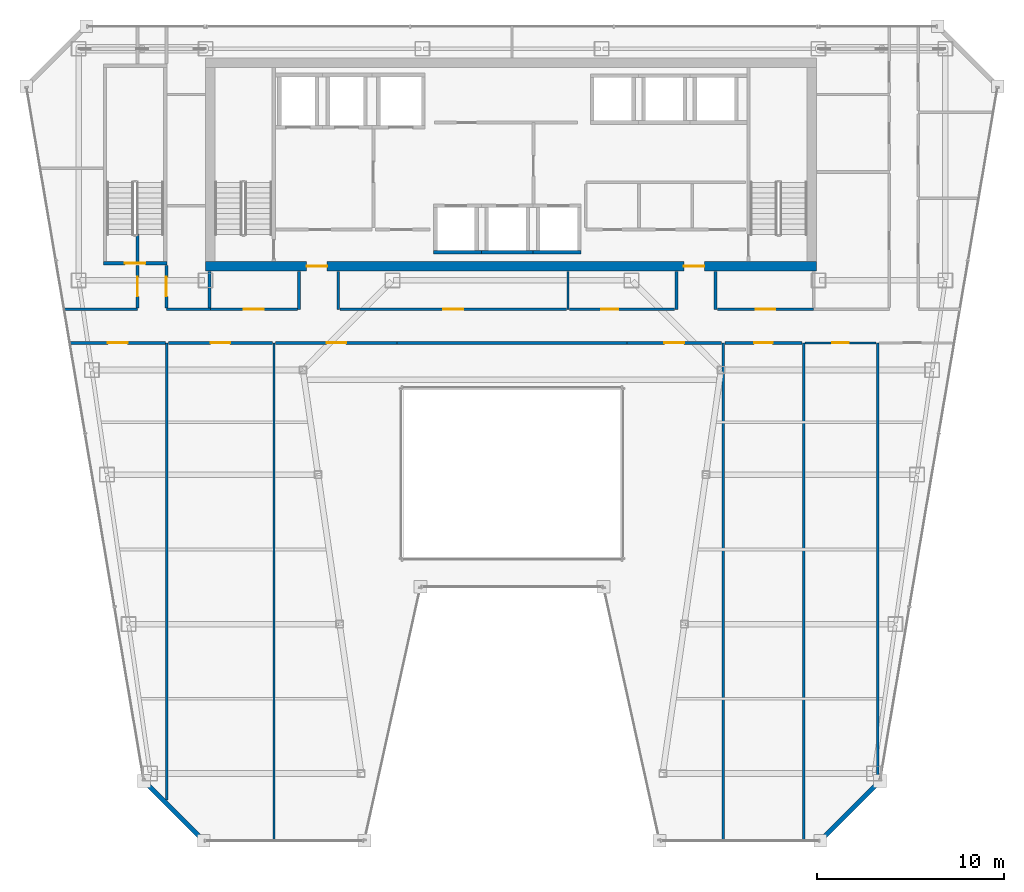
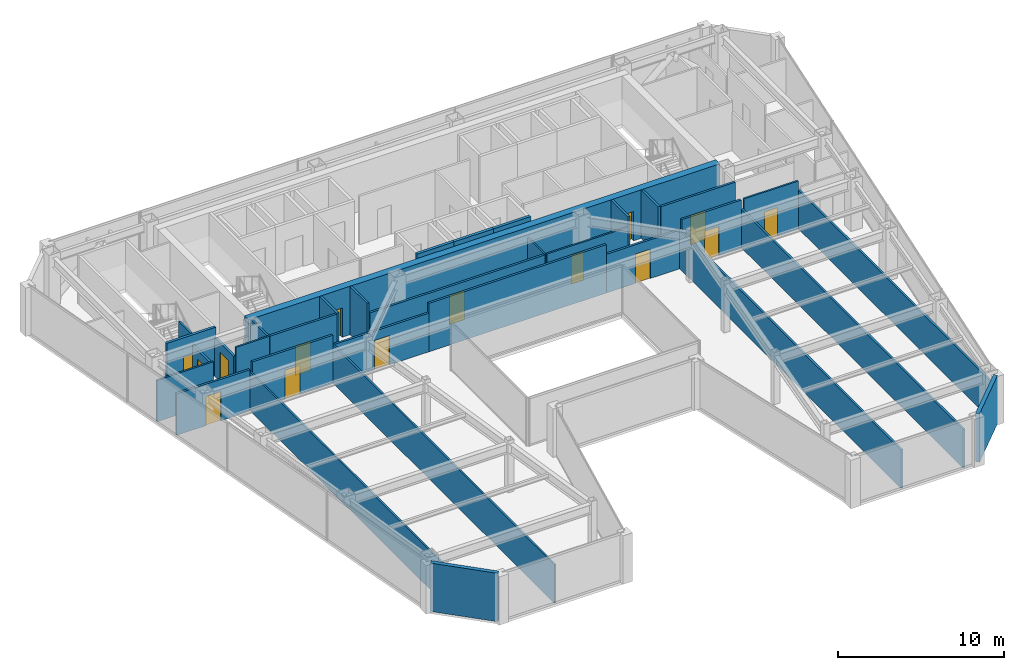
# One storey, part 30 of 36: 34 walls, 15 doors, 15 openings.
"""IFC4 building model written with IfcOpenShell, lengths in metres."""

from ifc_helpers import new_model, si_unit, direction, frame, frame_2d, origin, place, context, subcontext, project, spatial, rectangle, extrude, material, layer, layer_set, type_object, element, fill, save


model = new_model("IFC4")

# Units and contexts
model_context = context("Model", 3, precision=1e-05, world=origin(), true_north=direction((0.0, 1.0)))
body_context = subcontext(model_context, "Body", "Model", "MODEL_VIEW")
ifc_project = project(units=[si_unit("LENGTHUNIT", "METRE"), si_unit("AREAUNIT", "SQUARE_METRE"), si_unit("VOLUMEUNIT", "CUBIC_METRE"), si_unit("PLANEANGLEUNIT", "RADIAN"), si_unit("MASSUNIT", "GRAM", prefix="KILO")], contexts=[model_context])

# Site, building, storey
site_placement = place(None, origin())
site = spatial("IfcSite", under=ifc_project, at=site_placement, CompositionType="ELEMENT")
building_placement = place(site_placement, origin())
building = spatial("IfcBuilding", under=site, at=building_placement, Name="Saevonmaru Cultural Tower", CompositionType="ELEMENT")
storey_placement = place(building_placement, frame((0.0, 0.0, 205.60009765625)))
storey = spatial("IfcBuildingStorey", under=building, at=storey_placement, Name="L47", CompositionType="ELEMENT", Elevation=205.60009765625)

# Wall, openings, doors
ifc_material_1 = material(Name="Concrete C60/75", Category="concrete")
ifc_layer_1 = layer(ifc_material_1, 0.5, Name="Concrete C60/75")
ifc_layer_set_1 = layer_set([ifc_layer_1], Name="Concrete C60/75")
wall_type_1 = type_object("IfcWallType", Name="WL-CORE-500", PredefinedType="SHEAR", material=ifc_layer_set_1)
wall_1_placement = place(storey_placement, frame((13.60009765625, 43.14990234375, 0.0), z_axis=(0.0, 0.0, 1.0), x_axis=(1.0, 0.0, 0.0)))
wall_1 = element("IfcWall", 1, at=wall_1_placement, inside=storey, type_object=wall_type_1, Name="L47 Tower RC core shear wall S", PredefinedType="SHEAR", context=body_context, shape_type="SweptSolid", body=[
    extrude(rectangle(XDim=32.699951171875, YDim=0.5, at=frame_2d((16.35009765625, 0.0))), origin(), (0.0, 0.0, 1.0), 3.5498046875),
])
opening_1_placement = place(wall_1_placement, frame((5.39990234375, 0.0, 0.0)))
opening_1 = element("IfcOpeningElement", 2, at=opening_1_placement, cuts=wall_1, Name="Opening FD-2", PredefinedType="OPENING", context=body_context, shape_type="SweptSolid", body=[
    extrude(rectangle(XDim=1.10009765625, YDim=2.14990234375, at=frame_2d((0.550048828125, 1.074951171875))), frame((0.0, 0.260009765625, 0.0), z_axis=(0.0, -1.0, 0.0), x_axis=(1.0, 0.0, 0.0)), (0.0, 0.0, 1.0), 0.52001953125),
])
opening_2_placement = place(wall_1_placement, frame((25.60009765625, 0.0, 0.0)))
opening_2 = element("IfcOpeningElement", 3, at=opening_2_placement, cuts=wall_1, Name="Opening FD-2", PredefinedType="OPENING", context=body_context, shape_type="SweptSolid", body=[
    extrude(rectangle(XDim=1.10009765625, YDim=2.14990234375, at=frame_2d((0.550048828125, 1.074951171875))), frame((0.0, 0.260009765625, 0.0), z_axis=(0.0, -1.0, 0.0), x_axis=(1.0, 0.0, 0.0)), (0.0, 0.0, 1.0), 0.52001953125),
])
ifc_material_2 = material(Name="Satin Bronze Anodised Aluminium", Category="aluminium")
door_type_1 = type_object("IfcDoorType", Name="DR-FD60-1100", OperationType="SINGLE_SWING_LEFT", PredefinedType="DOOR", material=ifc_material_2)
door_1_placement = place(opening_1_placement, origin())
door_1 = element("IfcDoor", 4, at=door_1_placement, inside=storey, type_object=door_type_1, Name="L47 Core West Lobby Fire Door", OperationType="SINGLE_SWING_LEFT", OverallHeight=2.14990234375, OverallWidth=1.10009765625, PredefinedType="DOOR", context=body_context, shape_type="SweptSolid", body=[
    extrude(rectangle(XDim=1.10009765625, YDim=2.14990234375, at=frame_2d((0.550048828125, 1.074951171875))), frame((0.0, 0.02490234375, 0.0), z_axis=(0.0, -1.0, 0.0), x_axis=(1.0, 0.0, 0.0)), (0.0, 0.0, 1.0), 0.050048828125),
])
fill(opening_1, door_1)
door_2_placement = place(opening_2_placement, origin())
door_2 = element("IfcDoor", 5, at=door_2_placement, inside=storey, type_object=door_type_1, Name="L47 Core East Lobby Fire Door", OperationType="SINGLE_SWING_LEFT", OverallHeight=2.14990234375, OverallWidth=1.10009765625, PredefinedType="DOOR", context=body_context, shape_type="SweptSolid", body=[
    extrude(rectangle(XDim=1.10009765625, YDim=2.14990234375, at=frame_2d((0.550048828125, 1.074951171875))), frame((0.0, 0.02490234375, 0.0), z_axis=(0.0, -1.0, 0.0), x_axis=(1.0, 0.0, 0.0)), (0.0, 0.0, 1.0), 0.050048828125),
])
fill(opening_2, door_2)

# Walls
ifc_material_3 = material(Name="Granite-Clad Precast Concrete C40/50", Category="masonry")
ifc_layer_2 = layer(ifc_material_3, 0.260009765625, Name="Granite-Clad Precast Concrete C40/50")
ifc_layer_set_2 = layer_set([ifc_layer_2], Name="Granite-Clad Precast Concrete C40/50")
wall_type_2 = type_object("IfcWallType", Name="WL-EXT-SPANDREL-260", PredefinedType="STANDARD", material=ifc_layer_set_2)
for number, where, z_axis, x_axis, name in (
    (6, (10.410888671875, 15.48681640625, 0.0), (0.0, 0.0, 1.0), (0.707135806771, -0.70707775441, 0.0), "L47 Chamfer Corner Spandrel Wall E1"),
    (7, (46.615234375, 12.51318359375, 0.0), (0.0, 0.0, 1.0), (0.707135806771, 0.70707775441, 0.0), "L47 Chamfer Corner Spandrel Wall E7"),
):
    element("IfcWall", number, at=place(storey_placement, frame(where, z_axis=z_axis, x_axis=x_axis)), inside=storey, type_object=wall_type_2, Name=name, PredefinedType="STANDARD", context=body_context, shape_type="SweptSolid", body=[
        extrude(rectangle(XDim=4.20556640625, YDim=0.260009765625, at=frame_2d((2.102783203125, 0.0))), origin(), (0.0, 0.0, 1.0), 3.5498046875),
    ])

# Wall, opening, door
ifc_material_4 = material(Name="Gypsum Fireboard Partition", Category="gypsum")
ifc_layer_3 = layer(ifc_material_4, 0.14990234375, Name="Gypsum Fireboard Partition")
ifc_layer_set_3 = layer_set([ifc_layer_3], Name="Gypsum Fireboard Partition")
wall_type_3 = type_object("IfcWallType", Name="WL-PART-FIRE-150", PredefinedType="PARTITIONING", material=ifc_layer_set_3)
wall_2_placement = place(storey_placement, frame((9.949951171875, 40.929931640625, 0.0), z_axis=(0.0, 0.0, 1.0), x_axis=(0.0, 1.0, 0.0)))
wall_2 = element("IfcWall", 8, at=wall_2_placement, inside=storey, type_object=wall_type_3, Name="L47 Permanent Exhibition Gallery Corridor Wall", PredefinedType="PARTITIONING", context=body_context, shape_type="SweptSolid", body=[
    extrude(rectangle(XDim=2.27001953125, YDim=0.14990234375, at=frame_2d((1.135009765625, 0.0))), origin(), (0.0, 0.0, 1.0), 2.8349609375),
])
opening_3_placement = place(wall_2_placement, frame((0.610107421875, 0.0, 0.0)))
opening_3 = element("IfcOpeningElement", 9, at=opening_3_placement, cuts=wall_2, Name="Opening ID-1", PredefinedType="OPENING", context=body_context, shape_type="SweptSolid", body=[
    extrude(rectangle(XDim=1.050048828125, YDim=2.14990234375, at=frame_2d((0.52490234375, 1.074951171875))), frame((0.0, 0.0849609375, 0.0), z_axis=(0.0, -1.0, 0.0), x_axis=(1.0, 0.0, 0.0)), (0.0, 0.0, 1.0), 0.169921875),
])
door_type_2 = type_object("IfcDoorType", Name="DR-INT-1050", OperationType="SINGLE_SWING_LEFT", PredefinedType="DOOR", material=ifc_material_2)
door_3_placement = place(opening_3_placement, origin())
door_3 = element("IfcDoor", 10, at=door_3_placement, inside=storey, type_object=door_type_2, Name="L47 Permanent Exhibition Gallery Door", OperationType="SINGLE_SWING_LEFT", OverallHeight=2.14990234375, OverallWidth=1.050048828125, PredefinedType="DOOR", context=body_context, shape_type="SweptSolid", body=[
    extrude(rectangle(XDim=1.050048828125, YDim=2.14990234375, at=frame_2d((0.52490234375, 1.074951171875))), frame((0.0, 0.02490234375, 0.0), z_axis=(0.0, -1.0, 0.0), x_axis=(1.0, 0.0, 0.0)), (0.0, 0.0, 1.0), 0.050048828125),
])
fill(opening_3, door_3)

# Wall
wall_3_placement = place(storey_placement, frame((9.949951171875, 43.419921875, 0.0), z_axis=(0.0, 0.0, 1.0), x_axis=(0.0, 1.0, 0.0)))
element("IfcWall", 11, at=wall_3_placement, inside=storey, type_object=wall_type_3, Name="L47 Permanent Exhibition Gallery Corridor Wall (2)", PredefinedType="PARTITIONING", context=body_context, shape_type="SweptSolid", body=[
    extrude(rectangle(XDim=1.4501953125, YDim=0.14990234375, at=frame_2d((0.72509765625, 0.0))), origin(), (0.0, 0.0, 1.0), 3.5498046875),
])

# Wall, opening, door
wall_4_placement = place(storey_placement, frame((11.5, 40.929931640625, 0.0), z_axis=(0.0, 0.0, 1.0), x_axis=(0.0, 1.0, 0.0)))
wall_4 = element("IfcWall", 12, at=wall_4_placement, inside=storey, type_object=wall_type_3, Name="L47 Contemporary Photography Gallery Corridor Wall", PredefinedType="PARTITIONING", context=body_context, shape_type="SweptSolid", body=[
    extrude(rectangle(XDim=2.27001953125, YDim=0.14990234375, at=frame_2d((1.135009765625, 0.0))), origin(), (0.0, 0.0, 1.0), 2.8349609375),
])
opening_4_placement = place(wall_4_placement, frame((0.610107421875, 0.0, 0.0)))
opening_4 = element("IfcOpeningElement", 13, at=opening_4_placement, cuts=wall_4, Name="Opening ID-1", PredefinedType="OPENING", context=body_context, shape_type="SweptSolid", body=[
    extrude(rectangle(XDim=1.050048828125, YDim=2.14990234375, at=frame_2d((0.52490234375, 1.074951171875))), frame((0.0, 0.0849609375, 0.0), z_axis=(0.0, -1.0, 0.0), x_axis=(1.0, 0.0, 0.0)), (0.0, 0.0, 1.0), 0.169921875),
])
door_4_placement = place(opening_4_placement, origin())
door_4 = element("IfcDoor", 14, at=door_4_placement, inside=storey, type_object=door_type_2, Name="L47 Contemporary Photography Gallery Door", OperationType="SINGLE_SWING_RIGHT", OverallHeight=2.14990234375, OverallWidth=1.050048828125, PredefinedType="DOOR", context=body_context, shape_type="SweptSolid", body=[
    extrude(rectangle(XDim=1.050048828125, YDim=2.14990234375, at=frame_2d((0.52490234375, 1.074951171875))), frame((0.0, 0.02490234375, 0.0), z_axis=(0.0, -1.0, 0.0), x_axis=(1.0, 0.0, 0.0)), (0.0, 0.0, 1.0), 0.050048828125),
])
fill(opening_4, door_4)

# Walls
wall_5_placement = place(storey_placement, frame((13.800048828125, 40.929931640625, 0.0), z_axis=(0.0, 0.0, 1.0), x_axis=(0.0, 1.0, 0.0)))
element("IfcWall", 15, at=wall_5_placement, inside=storey, type_object=wall_type_3, Name="L47 Core Portal Side Wall W0", PredefinedType="PARTITIONING", context=body_context, shape_type="SweptSolid", body=[
    extrude(rectangle(XDim=1.949951171875, YDim=0.14990234375, at=frame_2d((0.97509765625, 0.0))), origin(), (0.0, 0.0, 1.0), 3.5498046875),
])
for number, where, z_axis, x_axis, name in (
    (16, (18.60009765625, 40.85009765625, 0.0), (0.0, 0.0, 1.0), (0.0, 1.0, 0.0), "L47 Core Portal Side Wall W1"),
    (17, (20.699951171875, 40.85009765625, 0.0), (0.0, 0.0, 1.0), (0.0, 1.0, 0.0), "L47 Core Portal Side Wall W2"),
    (18, (38.800048828125, 40.85009765625, 0.0), (0.0, 0.0, 1.0), (0.0, 1.0, 0.0), "L47 Core Portal Side Wall E1"),
    (19, (40.89990234375, 40.85009765625, 0.0), (0.0, 0.0, 1.0), (0.0, 1.0, 0.0), "L47 Core Portal Side Wall E2"),
):
    element("IfcWall", number, at=place(storey_placement, frame(where, z_axis=z_axis, x_axis=x_axis)), inside=storey, type_object=wall_type_3, Name=name, PredefinedType="PARTITIONING", context=body_context, shape_type="SweptSolid", body=[
        extrude(rectangle(XDim=2.02978515625, YDim=0.14990234375, at=frame_2d((1.014892578125, 0.0))), origin(), (0.0, 0.0, 1.0), 3.5498046875),
    ])

# Wall, opening, door
wall_6_placement = place(storey_placement, frame((13.85009765625, 40.85009765625, 0.0), z_axis=(0.0, 0.0, 1.0), x_axis=(1.0, 0.0, 0.0)))
wall_6 = element("IfcWall", 20, at=wall_6_placement, inside=storey, type_object=wall_type_3, Name="L47 Permanent Exhibition Gallery Corridor Wall", PredefinedType="PARTITIONING", context=body_context, shape_type="SweptSolid", body=[
    extrude(rectangle(XDim=4.65478515625, YDim=0.14990234375, at=frame_2d((2.327392578125, 0.0))), origin(), (0.0, 0.0, 1.0), 3.5498046875),
])
opening_5_placement = place(wall_6_placement, frame((1.802001953125, 0.0, 0.0)))
opening_5 = element("IfcOpeningElement", 21, at=opening_5_placement, cuts=wall_6, Name="Opening ID-1", PredefinedType="OPENING", context=body_context, shape_type="SweptSolid", body=[
    extrude(rectangle(XDim=1.050048828125, YDim=2.14990234375, at=frame_2d((0.52490234375, 1.074951171875))), frame((0.0, 0.0849609375, 0.0), z_axis=(0.0, -1.0, 0.0), x_axis=(1.0, 0.0, 0.0)), (0.0, 0.0, 1.0), 0.169921875),
])
door_5_placement = place(opening_5_placement, origin())
door_5 = element("IfcDoor", 22, at=door_5_placement, inside=storey, type_object=door_type_2, Name="L47 Permanent Exhibition Gallery Door", OperationType="SINGLE_SWING_RIGHT", OverallHeight=2.14990234375, OverallWidth=1.050048828125, PredefinedType="DOOR", context=body_context, shape_type="SweptSolid", body=[
    extrude(rectangle(XDim=1.050048828125, YDim=2.14990234375, at=frame_2d((0.52490234375, 1.074951171875))), frame((0.0, 0.02490234375, 0.0), z_axis=(0.0, -1.0, 0.0), x_axis=(1.0, 0.0, 0.0)), (0.0, 0.0, 1.0), 0.050048828125),
])
fill(opening_5, door_5)

wall_7_placement = place(storey_placement, frame((20.794921875, 40.85009765625, 0.0), z_axis=(0.0, 0.0, 1.0), x_axis=(1.0, 0.0, 0.0)))
wall_7 = element("IfcWall", 23, at=wall_7_placement, inside=storey, type_object=wall_type_3, Name="L47 Permanent Exhibition Gallery Corridor Wall", PredefinedType="PARTITIONING", context=body_context, shape_type="SweptSolid", body=[
    extrude(rectangle(XDim=12.125, YDim=0.14990234375, at=frame_2d((6.0625, 0.0))), origin(), (0.0, 0.0, 1.0), 2.8349609375),
])
opening_6_placement = place(wall_7_placement, frame((5.537109375, 0.0, 0.0)))
opening_6 = element("IfcOpeningElement", 24, at=opening_6_placement, cuts=wall_7, Name="Opening ID-1", PredefinedType="OPENING", context=body_context, shape_type="SweptSolid", body=[
    extrude(rectangle(XDim=1.050048828125, YDim=2.14990234375, at=frame_2d((0.52490234375, 1.074951171875))), frame((0.0, 0.0849609375, 0.0), z_axis=(0.0, -1.0, 0.0), x_axis=(1.0, 0.0, 0.0)), (0.0, 0.0, 1.0), 0.169921875),
])
door_6_placement = place(opening_6_placement, origin())
door_6 = element("IfcDoor", 25, at=door_6_placement, inside=storey, type_object=door_type_2, Name="L47 Permanent Exhibition Gallery Door", OperationType="SINGLE_SWING_LEFT", OverallHeight=2.14990234375, OverallWidth=1.050048828125, PredefinedType="DOOR", context=body_context, shape_type="SweptSolid", body=[
    extrude(rectangle(XDim=1.050048828125, YDim=2.14990234375, at=frame_2d((0.52490234375, 1.074951171875))), frame((0.0, 0.02490234375, 0.0), z_axis=(0.0, -1.0, 0.0), x_axis=(1.0, 0.0, 0.0)), (0.0, 0.0, 1.0), 0.050048828125),
])
fill(opening_6, door_6)

wall_8_placement = place(storey_placement, frame((40.9951171875, 40.85009765625, 0.0), z_axis=(0.0, 0.0, 1.0), x_axis=(1.0, 0.0, 0.0)))
wall_8 = element("IfcWall", 26, at=wall_8_placement, inside=storey, type_object=wall_type_3, Name="L47 Kinetic Art Exhibition Gallery Corridor Wall", PredefinedType="PARTITIONING", context=body_context, shape_type="SweptSolid", body=[
    extrude(rectangle(XDim=5.15478515625, YDim=0.14990234375, at=frame_2d((2.577392578125, 0.0))), origin(), (0.0, 0.0, 1.0), 3.5498046875),
])
opening_7_placement = place(wall_8_placement, frame((2.052978515625, 0.0, 0.0)))
opening_7 = element("IfcOpeningElement", 27, at=opening_7_placement, cuts=wall_8, Name="Opening ID-1", PredefinedType="OPENING", context=body_context, shape_type="SweptSolid", body=[
    extrude(rectangle(XDim=1.050048828125, YDim=2.14990234375, at=frame_2d((0.52490234375, 1.074951171875))), frame((0.0, 0.0849609375, 0.0), z_axis=(0.0, -1.0, 0.0), x_axis=(1.0, 0.0, 0.0)), (0.0, 0.0, 1.0), 0.169921875),
])
door_7_placement = place(opening_7_placement, origin())
door_7 = element("IfcDoor", 28, at=door_7_placement, inside=storey, type_object=door_type_2, Name="L47 Kinetic Art Exhibition Gallery Door", OperationType="SINGLE_SWING_LEFT", OverallHeight=2.14990234375, OverallWidth=1.050048828125, PredefinedType="DOOR", context=body_context, shape_type="SweptSolid", body=[
    extrude(rectangle(XDim=1.050048828125, YDim=2.14990234375, at=frame_2d((0.52490234375, 1.074951171875))), frame((0.0, 0.02490234375, 0.0), z_axis=(0.0, -1.0, 0.0), x_axis=(1.0, 0.0, 0.0)), (0.0, 0.0, 1.0), 0.050048828125),
])
fill(opening_7, door_7)

wall_9_placement = place(storey_placement, frame((6.348388671875, 39.050048828125, 0.0), z_axis=(0.0, 0.0, 1.0), x_axis=(1.0, 0.0, 0.0)))
wall_9 = element("IfcWall", 29, at=wall_9_placement, inside=storey, type_object=wall_type_3, Name="L47 Permanent Exhibition Gallery Corridor Wall", PredefinedType="PARTITIONING", context=body_context, shape_type="SweptSolid", body=[
    extrude(rectangle(XDim=5.091552734375, YDim=0.14990234375, at=frame_2d((2.5458984375, 0.0))), origin(), (0.0, 0.0, 1.0), 3.034912109375),
])
opening_8_placement = place(wall_9_placement, frame((2.02099609375, 0.0, 0.0)))
opening_8 = element("IfcOpeningElement", 30, at=opening_8_placement, cuts=wall_9, Name="Opening ID-1", PredefinedType="OPENING", context=body_context, shape_type="SweptSolid", body=[
    extrude(rectangle(XDim=1.050048828125, YDim=2.14990234375, at=frame_2d((0.52490234375, 1.074951171875))), frame((0.0, 0.0849609375, 0.0), z_axis=(0.0, -1.0, 0.0), x_axis=(1.0, 0.0, 0.0)), (0.0, 0.0, 1.0), 0.169921875),
])
door_8_placement = place(opening_8_placement, origin())
door_8 = element("IfcDoor", 31, at=door_8_placement, inside=storey, type_object=door_type_2, Name="L47 Permanent Exhibition Gallery Door", OperationType="SINGLE_SWING_RIGHT", OverallHeight=2.14990234375, OverallWidth=1.050048828125, PredefinedType="DOOR", context=body_context, shape_type="SweptSolid", body=[
    extrude(rectangle(XDim=1.050048828125, YDim=2.14990234375, at=frame_2d((0.52490234375, 1.074951171875))), frame((0.0, 0.02490234375, 0.0), z_axis=(0.0, -1.0, 0.0), x_axis=(1.0, 0.0, 0.0)), (0.0, 0.0, 1.0), 0.050048828125),
])
fill(opening_8, door_8)

wall_10_placement = place(storey_placement, frame((11.60009765625, 39.050048828125, 0.0), z_axis=(0.0, 0.0, 1.0), x_axis=(1.0, 0.0, 0.0)))
wall_10 = element("IfcWall", 32, at=wall_10_placement, inside=storey, type_object=wall_type_3, Name="L47 Contemporary Photography Gallery Corridor Wall", PredefinedType="PARTITIONING", context=body_context, shape_type="SweptSolid", body=[
    extrude(rectangle(XDim=5.579833984375, YDim=0.14990234375, at=frame_2d((2.7900390625, 0.0))), origin(), (0.0, 0.0, 1.0), 3.5498046875),
])
opening_9_placement = place(wall_10_placement, frame((2.264892578125, 0.0, 0.0)))
opening_9 = element("IfcOpeningElement", 33, at=opening_9_placement, cuts=wall_10, Name="Opening ID-1", PredefinedType="OPENING", context=body_context, shape_type="SweptSolid", body=[
    extrude(rectangle(XDim=1.050048828125, YDim=2.14990234375, at=frame_2d((0.52490234375, 1.074951171875))), frame((0.0, 0.0849609375, 0.0), z_axis=(0.0, -1.0, 0.0), x_axis=(1.0, 0.0, 0.0)), (0.0, 0.0, 1.0), 0.169921875),
])
door_9_placement = place(opening_9_placement, origin())
door_9 = element("IfcDoor", 34, at=door_9_placement, inside=storey, type_object=door_type_2, Name="L47 Contemporary Photography Gallery Door", OperationType="SINGLE_SWING_LEFT", OverallHeight=2.14990234375, OverallWidth=1.050048828125, PredefinedType="DOOR", context=body_context, shape_type="SweptSolid", body=[
    extrude(rectangle(XDim=1.050048828125, YDim=2.14990234375, at=frame_2d((0.52490234375, 1.074951171875))), frame((0.0, 0.02490234375, 0.0), z_axis=(0.0, -1.0, 0.0), x_axis=(1.0, 0.0, 0.0)), (0.0, 0.0, 1.0), 0.050048828125),
])
fill(opening_9, door_9)

wall_11_placement = place(storey_placement, frame((17.340087890625, 39.050048828125, 0.0), z_axis=(0.0, 0.0, 1.0), x_axis=(1.0, 0.0, 0.0)))
wall_11 = element("IfcWall", 35, at=wall_11_placement, inside=storey, type_object=wall_type_3, Name="L47 Kinetic Art Exhibition Gallery Corridor Wall", PredefinedType="PARTITIONING", context=body_context, shape_type="SweptSolid", body=[
    extrude(rectangle(XDim=6.510009765625, YDim=0.14990234375, at=frame_2d((3.2548828125, 0.0))), origin(), (0.0, 0.0, 1.0), 2.8349609375),
])
opening_10_placement = place(wall_11_placement, frame((2.72998046875, 0.0, 0.0)))
opening_10 = element("IfcOpeningElement", 36, at=opening_10_placement, cuts=wall_11, Name="Opening ID-1", PredefinedType="OPENING", context=body_context, shape_type="SweptSolid", body=[
    extrude(rectangle(XDim=1.050048828125, YDim=2.14990234375, at=frame_2d((0.52490234375, 1.074951171875))), frame((0.0, 0.0849609375, 0.0), z_axis=(0.0, -1.0, 0.0), x_axis=(1.0, 0.0, 0.0)), (0.0, 0.0, 1.0), 0.169921875),
])
door_10_placement = place(opening_10_placement, origin())
door_10 = element("IfcDoor", 37, at=door_10_placement, inside=storey, type_object=door_type_2, Name="L47 Kinetic Art Exhibition Gallery Door", OperationType="SINGLE_SWING_RIGHT", OverallHeight=2.14990234375, OverallWidth=1.050048828125, PredefinedType="DOOR", context=body_context, shape_type="SweptSolid", body=[
    extrude(rectangle(XDim=1.050048828125, YDim=2.14990234375, at=frame_2d((0.52490234375, 1.074951171875))), frame((0.0, 0.02490234375, 0.0), z_axis=(0.0, -1.0, 0.0), x_axis=(1.0, 0.0, 0.0)), (0.0, 0.0, 1.0), 0.050048828125),
])
fill(opening_10, door_10)

# Wall
wall_12_placement = place(storey_placement, frame((23.85009765625, 39.050048828125, 0.0), z_axis=(0.0, 0.0, 1.0), x_axis=(1.0, 0.0, 0.0)))
element("IfcWall", 38, at=wall_12_placement, inside=storey, type_object=wall_type_3, Name="L47 North Atrium Corridor Wall", PredefinedType="PARTITIONING", context=body_context, shape_type="SweptSolid", body=[
    extrude(rectangle(XDim=12.2998046875, YDim=0.14990234375, at=frame_2d((6.14990234375, 0.0))), origin(), (0.0, 0.0, 1.0), 3.5498046875),
])

# Wall, opening, door
wall_13_placement = place(storey_placement, frame((36.14990234375, 39.050048828125, 0.0), z_axis=(0.0, 0.0, 1.0), x_axis=(1.0, 0.0, 0.0)))
wall_13 = element("IfcWall", 39, at=wall_13_placement, inside=storey, type_object=wall_type_3, Name="L47 Kinetic Art Exhibition Gallery Corridor Wall", PredefinedType="PARTITIONING", context=body_context, shape_type="SweptSolid", body=[
    extrude(rectangle(XDim=5.072509765625, YDim=0.14990234375, at=frame_2d((2.5361328125, 0.0))), origin(), (0.0, 0.0, 1.0), 2.8349609375),
])
opening_11_placement = place(wall_13_placement, frame((2.010986328125, 0.0, 0.0)))
opening_11 = element("IfcOpeningElement", 40, at=opening_11_placement, cuts=wall_13, Name="Opening ID-1", PredefinedType="OPENING", context=body_context, shape_type="SweptSolid", body=[
    extrude(rectangle(XDim=1.050048828125, YDim=2.14990234375, at=frame_2d((0.52490234375, 1.074951171875))), frame((0.0, 0.0849609375, 0.0), z_axis=(0.0, -1.0, 0.0), x_axis=(1.0, 0.0, 0.0)), (0.0, 0.0, 1.0), 0.169921875),
])
door_11_placement = place(opening_11_placement, origin())
door_11 = element("IfcDoor", 41, at=door_11_placement, inside=storey, type_object=door_type_2, Name="L47 Kinetic Art Exhibition Gallery Door", OperationType="SINGLE_SWING_LEFT", OverallHeight=2.14990234375, OverallWidth=1.050048828125, PredefinedType="DOOR", context=body_context, shape_type="SweptSolid", body=[
    extrude(rectangle(XDim=1.050048828125, YDim=2.14990234375, at=frame_2d((0.52490234375, 1.074951171875))), frame((0.0, 0.02490234375, 0.0), z_axis=(0.0, -1.0, 0.0), x_axis=(1.0, 0.0, 0.0)), (0.0, 0.0, 1.0), 0.050048828125),
])
fill(opening_11, door_11)

wall_14_placement = place(storey_placement, frame((41.3974609375, 39.050048828125, 0.0), z_axis=(0.0, 0.0, 1.0), x_axis=(1.0, 0.0, 0.0)))
wall_14 = element("IfcWall", 42, at=wall_14_placement, inside=storey, type_object=wall_type_3, Name="L47 Chamber Rehearsal Auditorium Corridor Wall", PredefinedType="PARTITIONING", context=body_context, shape_type="SweptSolid", body=[
    extrude(rectangle(XDim=4.125, YDim=0.14990234375, at=frame_2d((2.0625, 0.0))), origin(), (0.0, 0.0, 1.0), 3.5498046875),
])
opening_12_placement = place(wall_14_placement, frame((1.56201171875, 0.0, 0.0)))
opening_12 = element("IfcOpeningElement", 43, at=opening_12_placement, cuts=wall_14, Name="Opening ID-1B", PredefinedType="OPENING", context=body_context, shape_type="SweptSolid", body=[
    extrude(rectangle(XDim=1.0, YDim=2.14990234375, at=frame_2d((0.5, 1.074951171875))), frame((0.0, 0.0849609375, 0.0), z_axis=(0.0, -1.0, 0.0), x_axis=(1.0, 0.0, 0.0)), (0.0, 0.0, 1.0), 0.169921875),
])
ifc_material_5 = material(Name="Acoustic Stained Oak Timber", Category="wood")
door_type_3 = type_object("IfcDoorType", Name="DR-INT-1000", OperationType="SINGLE_SWING_RIGHT", PredefinedType="DOOR", material=ifc_material_5)
door_12_placement = place(opening_12_placement, origin())
door_12 = element("IfcDoor", 44, at=door_12_placement, inside=storey, type_object=door_type_3, Name="L47 Chamber Rehearsal Auditorium Door", OperationType="SINGLE_SWING_RIGHT", OverallHeight=2.14990234375, OverallWidth=1.0, PredefinedType="DOOR", context=body_context, shape_type="SweptSolid", body=[
    extrude(rectangle(XDim=1.0, YDim=2.14990234375, at=frame_2d((0.5, 1.074951171875))), frame((0.0, 0.02490234375, 0.0), z_axis=(0.0, -1.0, 0.0), x_axis=(1.0, 0.0, 0.0)), (0.0, 0.0, 1.0), 0.050048828125),
])
fill(opening_12, door_12)

# Walls
ifc_layer_4 = layer(ifc_material_4, 0.1201171875, Name="Gypsum Fireboard Partition")
ifc_layer_set_4 = layer_set([ifc_layer_4], Name="Gypsum Fireboard Partition")
wall_type_4 = type_object("IfcWallType", Name="WL-PART-GYP-120", PredefinedType="PARTITIONING", material=ifc_layer_set_4)
wall_15_placement = place(storey_placement, frame((6.0283203125, 40.85009765625, 0.0), z_axis=(0.0, 0.0, 1.0), x_axis=(1.0, 0.0, 0.0)))
element("IfcWall", 45, at=wall_15_placement, inside=storey, type_object=wall_type_4, Name="L47 NW Wing South Wall", PredefinedType="PARTITIONING", context=body_context, shape_type="SweptSolid", body=[
    extrude(rectangle(XDim=3.921630859375, YDim=0.1201171875, at=frame_2d((1.9609375, 0.0))), origin(), (0.0, 0.0, 1.0), 3.034912109375),
])
wall_16_placement = place(storey_placement, frame((11.5, 40.85009765625, 0.0), z_axis=(0.0, 0.0, 1.0), x_axis=(1.0, 0.0, 0.0)))
element("IfcWall", 46, at=wall_16_placement, inside=storey, type_object=wall_type_4, Name="L47 NW Inner South Wall", PredefinedType="PARTITIONING", context=body_context, shape_type="SweptSolid", body=[
    extrude(rectangle(XDim=2.35009765625, YDim=0.1201171875, at=frame_2d((1.175048828125, 0.0))), origin(), (0.0, 0.0, 1.0), 3.5498046875),
])
wall_17_placement = place(storey_placement, frame((33.0, 40.85009765625, 0.0), z_axis=(0.0, 0.0, 1.0), x_axis=(0.0, 1.0, 0.0)))
element("IfcWall", 47, at=wall_17_placement, inside=storey, type_object=wall_type_4, Name="L47 Spine Alcove Split", PredefinedType="PARTITIONING", context=body_context, shape_type="SweptSolid", body=[
    extrude(rectangle(XDim=2.02978515625, YDim=0.1201171875, at=frame_2d((1.014892578125, 0.0))), origin(), (0.0, 0.0, 1.0), 2.8349609375),
])

# Wall, opening, door
wall_18_placement = place(storey_placement, frame((33.080078125, 40.85009765625, 0.0), z_axis=(0.0, 0.0, 1.0), x_axis=(1.0, 0.0, 0.0)))
wall_18 = element("IfcWall", 48, at=wall_18_placement, inside=storey, type_object=wall_type_4, Name="L47 Urban Design Meeting Room Corridor Wall", PredefinedType="PARTITIONING", context=body_context, shape_type="SweptSolid", body=[
    extrude(rectangle(XDim=5.625, YDim=0.1201171875, at=frame_2d((2.8125, 0.0))), origin(), (0.0, 0.0, 1.0), 2.8349609375),
])
opening_13_placement = place(wall_18_placement, frame((1.701904296875, 0.0, 0.0)))
opening_13 = element("IfcOpeningElement", 49, at=opening_13_placement, cuts=wall_18, Name="Opening ID-2", PredefinedType="OPENING", context=body_context, shape_type="SweptSolid", body=[
    extrude(rectangle(XDim=0.89990234375, YDim=2.10009765625, at=frame_2d((0.449951171875, 1.050048828125))), frame((0.0, 0.070068359375, 0.0), z_axis=(0.0, -1.0, 0.0), x_axis=(1.0, 0.0, 0.0)), (0.0, 0.0, 1.0), 0.14013671875),
])
door_type_4 = type_object("IfcDoorType", Name="DR-INT-900", OperationType="SINGLE_SWING_RIGHT", PredefinedType="DOOR", material=ifc_material_5)
door_13_placement = place(opening_13_placement, origin())
door_13 = element("IfcDoor", 50, at=door_13_placement, inside=storey, type_object=door_type_4, Name="L47 Urban Design Meeting Room Door", OperationType="SINGLE_SWING_RIGHT", OverallHeight=2.10009765625, OverallWidth=0.89990234375, PredefinedType="DOOR", context=body_context, shape_type="SweptSolid", body=[
    extrude(rectangle(XDim=0.89990234375, YDim=2.10009765625, at=frame_2d((0.449951171875, 1.050048828125))), frame((0.0, 0.02490234375, 0.0), z_axis=(0.0, -1.0, 0.0), x_axis=(1.0, 0.0, 0.0)), (0.0, 0.0, 1.0), 0.050048828125),
])
fill(opening_13, door_13)

# Walls
wall_19_placement = place(storey_placement, frame((11.52001953125, 14.58984375, 0.0), z_axis=(0.0, 0.0, 1.0), x_axis=(0.0, 1.0, 0.0)))
element("IfcWall", 51, at=wall_19_placement, inside=storey, type_object=wall_type_4, Name="L47 West Bay Divider 1", PredefinedType="PARTITIONING", context=body_context, shape_type="SweptSolid", body=[
    extrude(rectangle(XDim=24.460205078125, YDim=0.1201171875, at=frame_2d((12.22998046875, 0.0))), origin(), (0.0, 0.0, 1.0), 2.8349609375),
])
wall_20_placement = place(storey_placement, frame((17.260009765625, 12.405029296875, 0.0), z_axis=(0.0, 0.0, 1.0), x_axis=(0.0, 1.0, 0.0)))
element("IfcWall", 52, at=wall_20_placement, inside=storey, type_object=wall_type_4, Name="L47 West Bay Divider 2", PredefinedType="PARTITIONING", context=body_context, shape_type="SweptSolid", body=[
    extrude(rectangle(XDim=26.64501953125, YDim=0.1201171875, at=frame_2d((13.322509765625, 0.0))), origin(), (0.0, 0.0, 1.0), 2.8349609375),
])

# Wall, opening, door
wall_21_placement = place(storey_placement, frame((45.697509765625, 39.050048828125, 0.0), z_axis=(0.0, 0.0, 1.0), x_axis=(1.0, 0.0, 0.0)))
wall_21 = element("IfcWall", 53, at=wall_21_placement, inside=storey, type_object=wall_type_4, Name="L47 Urban Design Meeting Room Corridor Wall", PredefinedType="PARTITIONING", context=body_context, shape_type="SweptSolid", body=[
    extrude(rectangle(XDim=3.784912109375, YDim=0.1201171875, at=frame_2d((1.892578125, 0.0))), origin(), (0.0, 0.0, 1.0), 3.5498046875),
])
opening_14_placement = place(wall_21_placement, frame((1.443115234375, 0.0, 0.0)))
opening_14 = element("IfcOpeningElement", 54, at=opening_14_placement, cuts=wall_21, Name="Opening ID-2", PredefinedType="OPENING", context=body_context, shape_type="SweptSolid", body=[
    extrude(rectangle(XDim=0.89990234375, YDim=2.10009765625, at=frame_2d((0.449951171875, 1.050048828125))), frame((0.0, 0.070068359375, 0.0), z_axis=(0.0, -1.0, 0.0), x_axis=(1.0, 0.0, 0.0)), (0.0, 0.0, 1.0), 0.14013671875),
])
door_14_placement = place(opening_14_placement, origin())
door_14 = element("IfcDoor", 55, at=door_14_placement, inside=storey, type_object=door_type_4, Name="L47 Urban Design Meeting Room Door", OperationType="SINGLE_SWING_LEFT", OverallHeight=2.10009765625, OverallWidth=0.89990234375, PredefinedType="DOOR", context=body_context, shape_type="SweptSolid", body=[
    extrude(rectangle(XDim=0.89990234375, YDim=2.10009765625, at=frame_2d((0.449951171875, 1.050048828125))), frame((0.0, 0.02490234375, 0.0), z_axis=(0.0, -1.0, 0.0), x_axis=(1.0, 0.0, 0.0)), (0.0, 0.0, 1.0), 0.050048828125),
])
fill(opening_14, door_14)

# Walls
ifc_layer_5 = layer(ifc_material_4, 0.135009765625, Name="Gypsum Fireboard Partition")
ifc_layer_set_5 = layer_set([ifc_layer_5], Name="Gypsum Fireboard Partition")
wall_type_5 = type_object("IfcWallType", Name="WL-PART-GYP-135", PredefinedType="PARTITIONING", material=ifc_layer_set_5)
for number, where, z_axis, x_axis, name in (
    (56, (41.31005859375, 12.405029296875, 0.0), (0.0, 0.0, 1.0), (0.0, 1.0, 0.0), "L47 East Bay Divider 1"),
    (57, (45.610107421875, 12.405029296875, 0.0), (0.0, 0.0, 1.0), (0.0, 1.0, 0.0), "L47 East Bay Divider 2"),
):
    element("IfcWall", number, at=place(storey_placement, frame(where, z_axis=z_axis, x_axis=x_axis)), inside=storey, type_object=wall_type_5, Name=name, PredefinedType="PARTITIONING", context=body_context, shape_type="SweptSolid", body=[
        extrude(rectangle(XDim=26.64501953125, YDim=0.135009765625, at=frame_2d((13.322509765625, 0.0))), origin(), (0.0, 0.0, 1.0), 2.8349609375),
    ])
wall_22_placement = place(storey_placement, frame((49.570068359375, 15.506103515625, 0.0), z_axis=(0.0, 0.0, 1.0), x_axis=(0.0, 1.0, 0.0)))
element("IfcWall", 58, at=wall_22_placement, inside=storey, type_object=wall_type_5, Name="L47 East Bay Divider 3", PredefinedType="PARTITIONING", context=body_context, shape_type="SweptSolid", body=[
    extrude(rectangle(XDim=23.5439453125, YDim=0.135009765625, at=frame_2d((11.77197265625, 0.0))), origin(), (0.0, 0.0, 1.0), 2.8349609375),
])
ifc_material_6 = material(Name="Concrete C40/50", Category="concrete")
ifc_layer_6 = layer(ifc_material_6, 0.199951171875, Name="Concrete C40/50")
ifc_layer_set_6 = layer_set([ifc_layer_6], Name="Concrete C40/50")
wall_type_6 = type_object("IfcWallType", Name="WL-SHAFT-200", PredefinedType="SHEAR", material=ifc_layer_set_6)
wall_23_placement = place(storey_placement, frame((25.800048828125, 43.89990234375, 0.0), z_axis=(0.0, 0.0, 1.0), x_axis=(1.0, 0.0, 0.0)))
element("IfcWall", 59, at=wall_23_placement, inside=storey, type_object=wall_type_6, Name="L47 Lift PL-M1 Hoistway Wall S", PredefinedType="SHEAR", context=body_context, shape_type="SweptSolid", body=[
    extrude(rectangle(XDim=2.574951171875, YDim=0.199951171875, at=frame_2d((1.28759765625, 0.0))), origin(), (0.0, 0.0, 1.0), 3.5498046875),
])
wall_24_placement = place(storey_placement, frame((28.375, 43.89990234375, 0.0), z_axis=(0.0, 0.0, 1.0), x_axis=(1.0, 0.0, 0.0)))
element("IfcWall", 60, at=wall_24_placement, inside=storey, type_object=wall_type_6, Name="L47 Lift PL-M2 Hoistway Wall S", PredefinedType="SHEAR", context=body_context, shape_type="SweptSolid", body=[
    extrude(rectangle(XDim=2.75, YDim=0.199951171875, at=frame_2d((1.375, 0.0))), origin(), (0.0, 0.0, 1.0), 3.5498046875),
])
wall_25_placement = place(storey_placement, frame((31.125, 43.89990234375, 0.0), z_axis=(0.0, 0.0, 1.0), x_axis=(1.0, 0.0, 0.0)))
element("IfcWall", 61, at=wall_25_placement, inside=storey, type_object=wall_type_6, Name="L47 Lift PL-M3 Hoistway Wall S", PredefinedType="SHEAR", context=body_context, shape_type="SweptSolid", body=[
    extrude(rectangle(XDim=2.574951171875, YDim=0.199951171875, at=frame_2d((1.28759765625, 0.0))), origin(), (0.0, 0.0, 1.0), 3.5498046875),
])

# Wall, opening, door
ifc_layer_7 = layer(ifc_material_6, 0.179931640625, Name="Concrete C40/50")
ifc_layer_set_7 = layer_set([ifc_layer_7], Name="Concrete C40/50")
wall_type_7 = type_object("IfcWallType", Name="WL-STSHAFT-180", PredefinedType="SHEAR", material=ifc_layer_set_7)
wall_26_placement = place(storey_placement, frame((8.1201171875, 43.31005859375, 0.0), z_axis=(0.0, 0.0, 1.0), x_axis=(1.0, 0.0, 0.0)))
wall_26 = element("IfcWall", 62, at=wall_26_placement, inside=storey, type_object=wall_type_7, Name="L47 Stair ST-3 Structural Shaft Wall 1", PredefinedType="SHEAR", context=body_context, shape_type="SweptSolid", body=[
    extrude(rectangle(XDim=3.409912109375, YDim=0.179931640625, at=frame_2d((1.705078125, 0.0))), origin(), (0.0, 0.0, 1.0), 3.5498046875),
])
opening_15_placement = place(wall_26_placement, frame((1.14990234375, 0.0, 0.0)))
opening_15 = element("IfcOpeningElement", 63, at=opening_15_placement, cuts=wall_26, Name="Opening FD-2", PredefinedType="OPENING", context=body_context, shape_type="SweptSolid", body=[
    extrude(rectangle(XDim=1.10009765625, YDim=2.14990234375, at=frame_2d((0.550048828125, 1.074951171875))), frame((0.0, 0.10009765625, 0.0), z_axis=(0.0, -1.0, 0.0), x_axis=(1.0, 0.0, 0.0)), (0.0, 0.0, 1.0), 0.199951171875),
])
door_15_placement = place(opening_15_placement, origin())
door_15 = element("IfcDoor", 64, at=door_15_placement, inside=storey, type_object=door_type_1, Name="L47 Protected Stair ST-3 Fire Door", OperationType="SINGLE_SWING_LEFT", OverallHeight=2.14990234375, OverallWidth=1.10009765625, PredefinedType="DOOR", context=body_context, shape_type="SweptSolid", body=[
    extrude(rectangle(XDim=1.10009765625, YDim=2.14990234375, at=frame_2d((0.550048828125, 1.074951171875))), frame((0.0, 0.02490234375, 0.0), z_axis=(0.0, -1.0, 0.0), x_axis=(1.0, 0.0, 0.0)), (0.0, 0.0, 1.0), 0.050048828125),
])
fill(opening_15, door_15)

save(model, "model.ifc")
